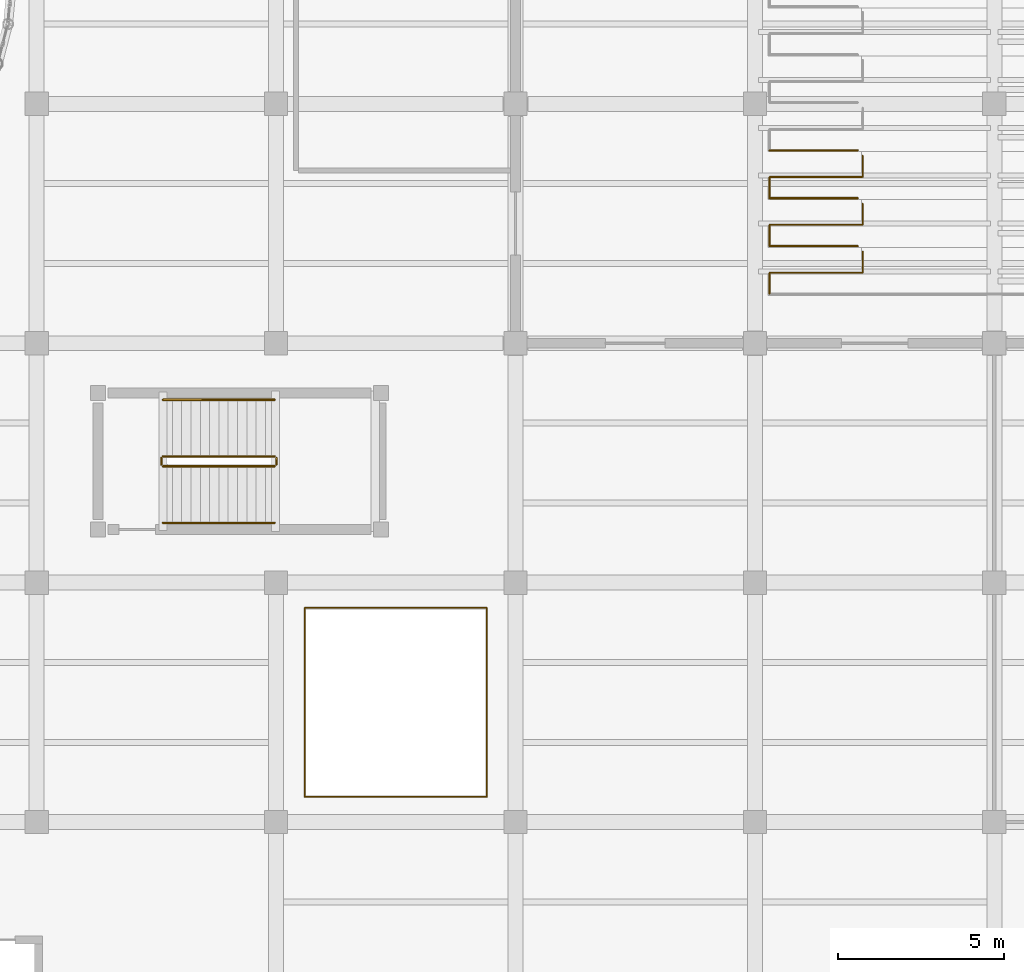
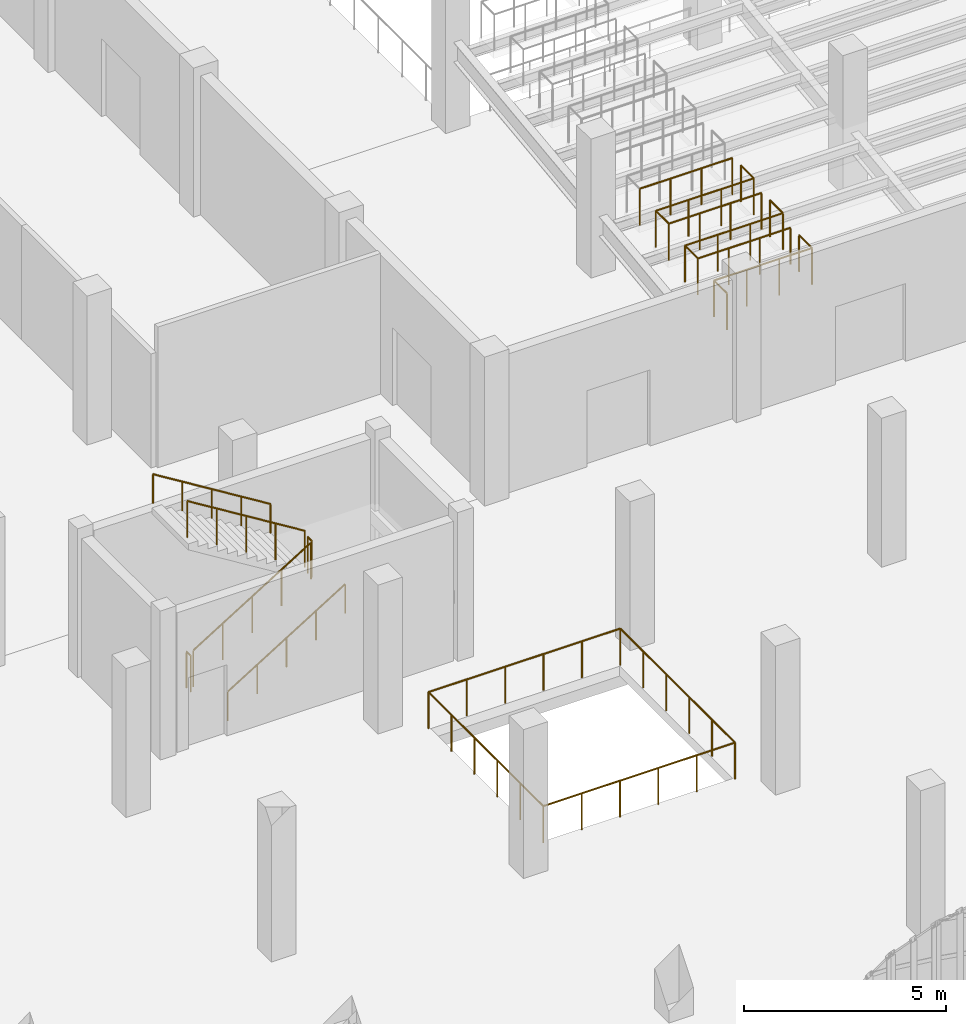
# One storey, part 100 of 108: 13 railings.
"""IFC4 building model written with IfcOpenShell, lengths in metres."""

from ifc_helpers import new_model, si_unit, direction, frame, origin, origin_2d, place, context, subcontext, project, spatial, circle, extrude, material, type_object, element, save


model = new_model("IFC4")

# Units and contexts
model_context = context("Model", 3, precision=1e-05, world=origin(), true_north=direction((0.0, 1.0)))
body_context = subcontext(model_context, "Body", "Model", "MODEL_VIEW")
ifc_project = project(units=[si_unit("LENGTHUNIT", "METRE"), si_unit("AREAUNIT", "SQUARE_METRE"), si_unit("VOLUMEUNIT", "CUBIC_METRE"), si_unit("PLANEANGLEUNIT", "RADIAN"), si_unit("MASSUNIT", "GRAM", prefix="KILO"), si_unit("THERMODYNAMICTEMPERATUREUNIT", "KELVIN"), si_unit("POWERUNIT", "WATT")], contexts=[model_context])

# Site, building, storey
site_placement = place(None, origin())
site = spatial("IfcSite", under=ifc_project, at=site_placement, CompositionType="ELEMENT")
building_placement = place(site_placement, origin())
building = spatial("IfcBuilding", under=site, at=building_placement, Name="Kaldorven Railside Theatre", CompositionType="ELEMENT")
storey_placement = place(building_placement, frame((0.0, 0.0, 5.39990234375)))
storey = spatial("IfcBuildingStorey", under=building, at=storey_placement, Name="L01", CompositionType="ELEMENT", Elevation=5.39990234375)

# Railings
ifc_material_1 = material(Name="Anodised bronze aluminium", Category="aluminium")
railing_type_1 = type_object("IfcRailingType", Name="RLG-BAL-1100", PredefinedType="BALUSTRADE", material=ifc_material_1)
railing_1_placement = place(storey_placement, frame((80.860107421875, 32.840087890625, 0.0)))
element("IfcRailing", 1, at=railing_1_placement, inside=storey, type_object=railing_type_1, Name="L01 Safety Balustrade GR-042", PredefinedType="BALUSTRADE", context=body_context, shape_type="SweptSolid", body=[
    extrude(circle(Radius=0.02392578125, at=origin_2d()), frame((0.0, 0.0, 1.09619140625), z_axis=(0.0, -1.0, 0.0), x_axis=(1.0, 0.0, 0.0)), (0.0, 0.0, 1.0), 5.68017578125),
    extrude(circle(Radius=0.02392578125, at=origin_2d()), frame((0.0, -5.68017578125, 1.09619140625), z_axis=(1.0, 0.0, 0.0), x_axis=(0.0, 1.0, 0.0)), (0.0, 0.0, 1.0), 5.47998046875),
    extrude(circle(Radius=0.02392578125, at=origin_2d()), frame((5.47998046875, -5.68017578125, 1.09619140625), z_axis=(0.0, 1.0, 0.0), x_axis=(-1.0, 0.0, 0.0)), (0.0, 0.0, 1.0), 5.68017578125),
    extrude(circle(Radius=0.02392578125, at=origin_2d()), frame((5.47998046875, 0.0, 1.09619140625), z_axis=(-1.0, 0.0, 0.0), x_axis=(0.0, -1.0, 0.0)), (0.0, 0.0, 1.0), 5.47998046875),
    extrude(circle(Radius=0.02099609375, at=origin_2d()), origin(), (0.0, 0.0, 1.0), 1.072021484375),
    extrude(circle(Radius=0.02099609375, at=origin_2d()), frame((0.0, -1.135986328125, 0.0)), (0.0, 0.0, 1.0), 1.072021484375),
    extrude(circle(Radius=0.02099609375, at=origin_2d()), frame((0.0, -2.27197265625, 0.0)), (0.0, 0.0, 1.0), 1.072021484375),
    extrude(circle(Radius=0.02099609375, at=origin_2d()), frame((0.0, -3.408203125, 0.0)), (0.0, 0.0, 1.0), 1.072021484375),
    extrude(circle(Radius=0.02099609375, at=origin_2d()), frame((0.0, -4.544189453125, 0.0)), (0.0, 0.0, 1.0), 1.072021484375),
    extrude(circle(Radius=0.02099609375, at=origin_2d()), frame((0.0, -5.68017578125, 0.0)), (0.0, 0.0, 1.0), 1.072021484375),
    extrude(circle(Radius=0.02099609375, at=origin_2d()), frame((1.095947265625, -5.68017578125, 0.0)), (0.0, 0.0, 1.0), 1.072021484375),
    extrude(circle(Radius=0.02099609375, at=origin_2d()), frame((2.19189453125, -5.68017578125, 0.0)), (0.0, 0.0, 1.0), 1.072021484375),
    extrude(circle(Radius=0.02099609375, at=origin_2d()), frame((3.2880859375, -5.68017578125, 0.0)), (0.0, 0.0, 1.0), 1.072021484375),
    extrude(circle(Radius=0.02099609375, at=origin_2d()), frame((4.384033203125, -5.68017578125, 0.0)), (0.0, 0.0, 1.0), 1.072021484375),
    extrude(circle(Radius=0.02099609375, at=origin_2d()), frame((5.47998046875, -5.68017578125, 0.0)), (0.0, 0.0, 1.0), 1.072021484375),
    extrude(circle(Radius=0.02099609375, at=origin_2d()), frame((5.47998046875, -4.544189453125, 0.0)), (0.0, 0.0, 1.0), 1.072021484375),
    extrude(circle(Radius=0.02099609375, at=origin_2d()), frame((5.47998046875, -3.408203125, 0.0)), (0.0, 0.0, 1.0), 1.072021484375),
    extrude(circle(Radius=0.02099609375, at=origin_2d()), frame((5.47998046875, -2.27197265625, 0.0)), (0.0, 0.0, 1.0), 1.072021484375),
    extrude(circle(Radius=0.02099609375, at=origin_2d()), frame((5.47998046875, -1.135986328125, 0.0)), (0.0, 0.0, 1.0), 1.072021484375),
    extrude(circle(Radius=0.02099609375, at=origin_2d()), frame((5.47998046875, 0.0, 0.0)), (0.0, 0.0, 1.0), 1.072021484375),
    extrude(circle(Radius=0.02099609375, at=origin_2d()), frame((4.384033203125, 0.0, 0.0)), (0.0, 0.0, 1.0), 1.072021484375),
    extrude(circle(Radius=0.02099609375, at=origin_2d()), frame((3.2880859375, 0.0, 0.0)), (0.0, 0.0, 1.0), 1.072021484375),
    extrude(circle(Radius=0.02099609375, at=origin_2d()), frame((2.19189453125, 0.0, 0.0)), (0.0, 0.0, 1.0), 1.072021484375),
    extrude(circle(Radius=0.02099609375, at=origin_2d()), frame((1.095947265625, 0.0, 0.0)), (0.0, 0.0, 1.0), 1.072021484375),
])
railing_2_placement = place(storey_placement, frame((94.840087890625, 42.280029296875, 1.43017578125)))
element("IfcRailing", 2, at=railing_2_placement, inside=storey, type_object=railing_type_1, Name="L01 Auditorium Tier Safety Guard GR-044", PredefinedType="BALUSTRADE", context=body_context, shape_type="SweptSolid", body=[
    extrude(circle(Radius=0.02392578125, at=origin_2d()), frame((0.0, 0.0, 1.09619140625), z_axis=(0.0, 1.0, 0.0), x_axis=(-1.0, 0.0, 0.0)), (0.0, 0.0, 1.0), 0.639892578125),
    extrude(circle(Radius=0.02392578125, at=origin_2d()), frame((0.0, 0.639892578125, 1.09619140625), z_axis=(1.0, 0.0, 0.0), x_axis=(0.0, 1.0, 0.0)), (0.0, 0.0, 1.0), 2.7998046875),
    extrude(circle(Radius=0.02392578125, at=origin_2d()), frame((2.7998046875, 0.639892578125, 1.09619140625), z_axis=(0.0, 1.0, 0.0), x_axis=(-1.0, 0.0, 0.0)), (0.0, 0.0, 1.0), 0.64013671875),
    extrude(circle(Radius=0.02099609375, at=origin_2d()), origin(), (0.0, 0.0, 1.0), 1.072021484375),
    extrude(circle(Radius=0.02099609375, at=origin_2d()), frame((0.0, 0.639892578125, 0.0)), (0.0, 0.0, 1.0), 1.072021484375),
    extrude(circle(Radius=0.02099609375, at=origin_2d()), frame((0.933349609375, 0.639892578125, 0.0)), (0.0, 0.0, 1.0), 1.072021484375),
    extrude(circle(Radius=0.02099609375, at=origin_2d()), frame((1.866455078125, 0.639892578125, 0.0)), (0.0, 0.0, 1.0), 1.072021484375),
    extrude(circle(Radius=0.02099609375, at=origin_2d()), frame((2.7998046875, 0.639892578125, 0.0)), (0.0, 0.0, 1.0), 1.072021484375),
    extrude(circle(Radius=0.02099609375, at=origin_2d()), frame((2.7998046875, 1.280029296875, 0.0)), (0.0, 0.0, 1.0), 1.072021484375),
])
railing_3_placement = place(storey_placement, frame((94.840087890625, 43.719970703125, 1.610107421875)))
element("IfcRailing", 3, at=railing_3_placement, inside=storey, type_object=railing_type_1, Name="L01 Auditorium Tier Safety Guard GR-046", PredefinedType="BALUSTRADE", context=body_context, shape_type="SweptSolid", body=[
    extrude(circle(Radius=0.02392578125, at=origin_2d()), frame((0.0, 0.0, 1.09619140625), z_axis=(0.0, 1.0, 0.0), x_axis=(-1.0, 0.0, 0.0)), (0.0, 0.0, 1.0), 0.64013671875),
    extrude(circle(Radius=0.02392578125, at=origin_2d()), frame((0.0, 0.64013671875, 1.09619140625), z_axis=(1.0, 0.0, 0.0), x_axis=(0.0, 1.0, 0.0)), (0.0, 0.0, 1.0), 2.7998046875),
    extrude(circle(Radius=0.02392578125, at=origin_2d()), frame((2.7998046875, 0.64013671875, 1.09619140625), z_axis=(0.0, 1.0, 0.0), x_axis=(-1.0, 0.0, 0.0)), (0.0, 0.0, 1.0), 0.639892578125),
    extrude(circle(Radius=0.02099609375, at=origin_2d()), origin(), (0.0, 0.0, 1.0), 1.072021484375),
    extrude(circle(Radius=0.02099609375, at=origin_2d()), frame((0.0, 0.64013671875, 0.0)), (0.0, 0.0, 1.0), 1.072021484375),
    extrude(circle(Radius=0.02099609375, at=origin_2d()), frame((0.933349609375, 0.64013671875, 0.0)), (0.0, 0.0, 1.0), 1.072021484375),
    extrude(circle(Radius=0.02099609375, at=origin_2d()), frame((1.866455078125, 0.64013671875, 0.0)), (0.0, 0.0, 1.0), 1.072021484375),
    extrude(circle(Radius=0.02099609375, at=origin_2d()), frame((2.7998046875, 0.64013671875, 0.0)), (0.0, 0.0, 1.0), 1.072021484375),
    extrude(circle(Radius=0.02099609375, at=origin_2d()), frame((2.7998046875, 1.280029296875, 0.0)), (0.0, 0.0, 1.0), 1.072021484375),
])
railing_4_placement = place(storey_placement, frame((97.487060546875, 43.719970703125, 1.610107421875)))
element("IfcRailing", 4, at=railing_4_placement, inside=storey, type_object=railing_type_1, Name="L01 Auditorium Tier Safety Guard GR-048", PredefinedType="BALUSTRADE", context=body_context, shape_type="SweptSolid", body=[
    extrude(circle(Radius=0.02392578125, at=origin_2d()), frame((0.0, 0.0, 1.09619140625), z_axis=(-1.0, 0.0, 0.0), x_axis=(0.0, -1.0, 0.0)), (0.0, 0.0, 1.0), 2.64697265625),
    extrude(circle(Radius=0.02099609375, at=origin_2d()), origin(), (0.0, 0.0, 1.0), 1.072021484375),
    extrude(circle(Radius=0.02099609375, at=origin_2d()), frame((-0.88232421875, 0.0, 0.0)), (0.0, 0.0, 1.0), 1.072021484375),
    extrude(circle(Radius=0.02099609375, at=origin_2d()), frame((-1.7646484375, 0.0, 0.0)), (0.0, 0.0, 1.0), 1.072021484375),
    extrude(circle(Radius=0.02099609375, at=origin_2d()), frame((-2.64697265625, 0.0, 0.0)), (0.0, 0.0, 1.0), 1.072021484375),
])
railing_5_placement = place(storey_placement, frame((94.840087890625, 45.159912109375, 1.7900390625)))
element("IfcRailing", 5, at=railing_5_placement, inside=storey, type_object=railing_type_1, Name="L01 Auditorium Tier Safety Guard GR-049", PredefinedType="BALUSTRADE", context=body_context, shape_type="SweptSolid", body=[
    extrude(circle(Radius=0.02392578125, at=origin_2d()), frame((0.0, 0.0, 1.09619140625), z_axis=(0.0, 1.0, 0.0), x_axis=(-1.0, 0.0, 0.0)), (0.0, 0.0, 1.0), 0.64013671875),
    extrude(circle(Radius=0.02392578125, at=origin_2d()), frame((0.0, 0.64013671875, 1.09619140625), z_axis=(1.0, 0.0, 0.0), x_axis=(0.0, 1.0, 0.0)), (0.0, 0.0, 1.0), 2.7998046875),
    extrude(circle(Radius=0.02392578125, at=origin_2d()), frame((2.7998046875, 0.64013671875, 1.09619140625), z_axis=(0.0, 1.0, 0.0), x_axis=(-1.0, 0.0, 0.0)), (0.0, 0.0, 1.0), 0.639892578125),
    extrude(circle(Radius=0.02099609375, at=origin_2d()), origin(), (0.0, 0.0, 1.0), 1.072021484375),
    extrude(circle(Radius=0.02099609375, at=origin_2d()), frame((0.0, 0.64013671875, 0.0)), (0.0, 0.0, 1.0), 1.072021484375),
    extrude(circle(Radius=0.02099609375, at=origin_2d()), frame((0.933349609375, 0.64013671875, 0.0)), (0.0, 0.0, 1.0), 1.072021484375),
    extrude(circle(Radius=0.02099609375, at=origin_2d()), frame((1.866455078125, 0.64013671875, 0.0)), (0.0, 0.0, 1.0), 1.072021484375),
    extrude(circle(Radius=0.02099609375, at=origin_2d()), frame((2.7998046875, 0.64013671875, 0.0)), (0.0, 0.0, 1.0), 1.072021484375),
    extrude(circle(Radius=0.02099609375, at=origin_2d()), frame((2.7998046875, 1.280029296875, 0.0)), (0.0, 0.0, 1.0), 1.072021484375),
])
for number, where, name in (
    (6, (97.487060546875, 45.159912109375, 1.7900390625), "L01 Auditorium Tier Safety Guard GR-051"),
    (7, (97.487060546875, 46.60009765625, 1.97021484375), "L01 Auditorium Tier Safety Guard GR-054"),
):
    element("IfcRailing", number, at=place(storey_placement, frame(where)), inside=storey, type_object=railing_type_1, Name=name, PredefinedType="BALUSTRADE", context=body_context, shape_type="SweptSolid", body=[
        extrude(circle(Radius=0.02392578125, at=origin_2d()), frame((0.0, 0.0, 1.09619140625), z_axis=(-1.0, 0.0, 0.0), x_axis=(0.0, -1.0, 0.0)), (0.0, 0.0, 1.0), 2.64697265625),
        extrude(circle(Radius=0.02099609375, at=origin_2d()), origin(), (0.0, 0.0, 1.0), 1.072021484375),
        extrude(circle(Radius=0.02099609375, at=origin_2d()), frame((-0.88232421875, 0.0, 0.0)), (0.0, 0.0, 1.0), 1.072021484375),
        extrude(circle(Radius=0.02099609375, at=origin_2d()), frame((-1.7646484375, 0.0, 0.0)), (0.0, 0.0, 1.0), 1.072021484375),
        extrude(circle(Radius=0.02099609375, at=origin_2d()), frame((-2.64697265625, 0.0, 0.0)), (0.0, 0.0, 1.0), 1.072021484375),
    ])
ifc_material_2 = material(Name="Steel S355", Category="steel")
railing_type_2 = type_object("IfcRailingType", Name="RLG-STG-1100", PredefinedType="BALUSTRADE", material=ifc_material_2)
railing_6_placement = place(storey_placement, frame((76.60009765625, 37.10009765625, 0.173095703125)))
element("IfcRailing", 8, at=railing_6_placement, inside=storey, type_object=railing_type_2, Name="L01 ST-07 stair guard 1", PredefinedType="BALUSTRADE", context=body_context, shape_type="SweptSolid", body=[
    extrude(circle(Radius=0.02392578125, at=origin_2d()), frame((0.0, 0.0, 1.09619140625), z_axis=(0.850606129759, 0.0, 0.525803396734), x_axis=(0.0, 1.0, 0.0)), (0.0, 0.0, 1.0), 3.949951171875),
    extrude(circle(Radius=0.02099609375, at=origin_2d()), origin(), (0.0, 0.0, 1.0), 1.072021484375),
    extrude(circle(Radius=0.02099609375, at=origin_2d()), frame((0.83984375, 0.0, 0.519287109375)), (0.0, 0.0, 1.0), 1.072021484375),
    extrude(circle(Radius=0.02099609375, at=origin_2d()), frame((1.679931640625, 0.0, 1.03857421875)), (0.0, 0.0, 1.0), 1.072021484375),
    extrude(circle(Radius=0.02099609375, at=origin_2d()), frame((2.52001953125, 0.0, 1.5576171875)), (0.0, 0.0, 1.0), 1.072021484375),
    extrude(circle(Radius=0.02099609375, at=origin_2d()), frame((3.35986328125, 0.0, 2.076904296875)), (0.0, 0.0, 1.0), 1.072021484375),
])
railing_7_placement = place(storey_placement, frame((80.010009765625, 37.14990234375, 2.25)))
element("IfcRailing", 9, at=railing_7_placement, inside=storey, type_object=railing_type_2, Name="L01 ST-07 stair guard 2", PredefinedType="BALUSTRADE", context=body_context, shape_type="SweptSolid", body=[
    extrude(circle(Radius=0.02392578125, at=origin_2d()), frame((0.0, 0.0, 1.09619140625), z_axis=(0.0, 1.0, 0.0), x_axis=(-1.0, 0.0, 0.0)), (0.0, 0.0, 1.0), 0.2001953125),
    extrude(circle(Radius=0.02099609375, at=origin_2d()), origin(), (0.0, 0.0, 1.0), 1.072021484375),
    extrude(circle(Radius=0.02099609375, at=origin_2d()), frame((0.0, 0.2001953125, 0.0)), (0.0, 0.0, 1.0), 1.072021484375),
])
railing_8_placement = place(storey_placement, frame((79.9599609375, 37.39990234375, 2.423095703125)))
element("IfcRailing", 10, at=railing_8_placement, inside=storey, type_object=railing_type_2, Name="L01 ST-07 stair guard 3", PredefinedType="BALUSTRADE", context=body_context, shape_type="SweptSolid", body=[
    extrude(circle(Radius=0.02392578125, at=origin_2d()), frame((0.0, 0.0, 1.09619140625), z_axis=(-0.850606129759, 0.0, 0.525803396734), x_axis=(0.0, -1.0, 0.0)), (0.0, 0.0, 1.0), 3.949951171875),
    extrude(circle(Radius=0.02099609375, at=origin_2d()), origin(), (0.0, 0.0, 1.0), 1.072021484375),
    extrude(circle(Radius=0.02099609375, at=origin_2d()), frame((-0.83984375, 0.0, 0.519287109375)), (0.0, 0.0, 1.0), 1.072021484375),
    extrude(circle(Radius=0.02099609375, at=origin_2d()), frame((-1.679931640625, 0.0, 1.03857421875)), (0.0, 0.0, 1.0), 1.072021484375),
    extrude(circle(Radius=0.02099609375, at=origin_2d()), frame((-2.52001953125, 0.0, 1.5576171875)), (0.0, 0.0, 1.0), 1.072021484375),
    extrude(circle(Radius=0.02099609375, at=origin_2d()), frame((-3.35986328125, 0.0, 2.076904296875)), (0.0, 0.0, 1.0), 1.072021484375),
])
railing_9_placement = place(storey_placement, frame((76.550048828125, 37.14990234375, 0.0)))
element("IfcRailing", 11, at=railing_9_placement, inside=storey, type_object=railing_type_2, Name="L01 ST-07 stair guard 4", PredefinedType="BALUSTRADE", context=body_context, shape_type="SweptSolid", body=[
    extrude(circle(Radius=0.02392578125, at=origin_2d()), frame((0.0, 0.0, 1.09619140625), z_axis=(0.0, 1.0, 0.0), x_axis=(-1.0, 0.0, 0.0)), (0.0, 0.0, 1.0), 0.2001953125),
    extrude(circle(Radius=0.02099609375, at=origin_2d()), origin(), (0.0, 0.0, 1.0), 1.072021484375),
    extrude(circle(Radius=0.02099609375, at=origin_2d()), frame((0.0, 0.2001953125, 0.0)), (0.0, 0.0, 1.0), 1.072021484375),
])
railing_type_3 = type_object("IfcRailingType", Name="RLG-STH-900", PredefinedType="HANDRAIL", material=ifc_material_2)
railing_10_placement = place(storey_placement, frame((76.60009765625, 35.39990234375, 0.173095703125)))
element("IfcRailing", 12, at=railing_10_placement, inside=storey, type_object=railing_type_3, Name="L01 ST-07 stair handrail 1", PredefinedType="HANDRAIL", context=body_context, shape_type="SweptSolid", body=[
    extrude(circle(Radius=0.02392578125, at=origin_2d()), frame((0.0, 0.0, 0.8759765625), z_axis=(0.850606129759, 0.0, 0.525803396734), x_axis=(0.0, 1.0, 0.0)), (0.0, 0.0, 1.0), 3.949951171875),
    extrude(circle(Radius=0.02099609375, at=origin_2d()), origin(), (0.0, 0.0, 1.0), 0.851806640625),
    extrude(circle(Radius=0.02099609375, at=origin_2d()), frame((0.83984375, 0.0, 0.519287109375)), (0.0, 0.0, 1.0), 0.851806640625),
    extrude(circle(Radius=0.02099609375, at=origin_2d()), frame((1.679931640625, 0.0, 1.03857421875)), (0.0, 0.0, 1.0), 0.851806640625),
    extrude(circle(Radius=0.02099609375, at=origin_2d()), frame((2.52001953125, 0.0, 1.5576171875)), (0.0, 0.0, 1.0), 0.851806640625),
    extrude(circle(Radius=0.02099609375, at=origin_2d()), frame((3.35986328125, 0.0, 2.076904296875)), (0.0, 0.0, 1.0), 0.851806640625),
])
railing_11_placement = place(storey_placement, frame((79.9599609375, 39.10009765625, 2.423095703125)))
element("IfcRailing", 13, at=railing_11_placement, inside=storey, type_object=railing_type_3, Name="L01 ST-07 stair handrail 2", PredefinedType="HANDRAIL", context=body_context, shape_type="SweptSolid", body=[
    extrude(circle(Radius=0.02392578125, at=origin_2d()), frame((0.0, 0.0, 0.8759765625), z_axis=(-0.850606129759, 0.0, 0.525803396734), x_axis=(0.0, -1.0, 0.0)), (0.0, 0.0, 1.0), 3.949951171875),
    extrude(circle(Radius=0.02099609375, at=origin_2d()), origin(), (0.0, 0.0, 1.0), 0.851806640625),
    extrude(circle(Radius=0.02099609375, at=origin_2d()), frame((-0.83984375, 0.0, 0.519287109375)), (0.0, 0.0, 1.0), 0.851806640625),
    extrude(circle(Radius=0.02099609375, at=origin_2d()), frame((-1.679931640625, 0.0, 1.03857421875)), (0.0, 0.0, 1.0), 0.851806640625),
    extrude(circle(Radius=0.02099609375, at=origin_2d()), frame((-2.52001953125, 0.0, 1.5576171875)), (0.0, 0.0, 1.0), 0.851806640625),
    extrude(circle(Radius=0.02099609375, at=origin_2d()), frame((-3.35986328125, 0.0, 2.076904296875)), (0.0, 0.0, 1.0), 0.851806640625),
])

save(model, "model.ifc")
